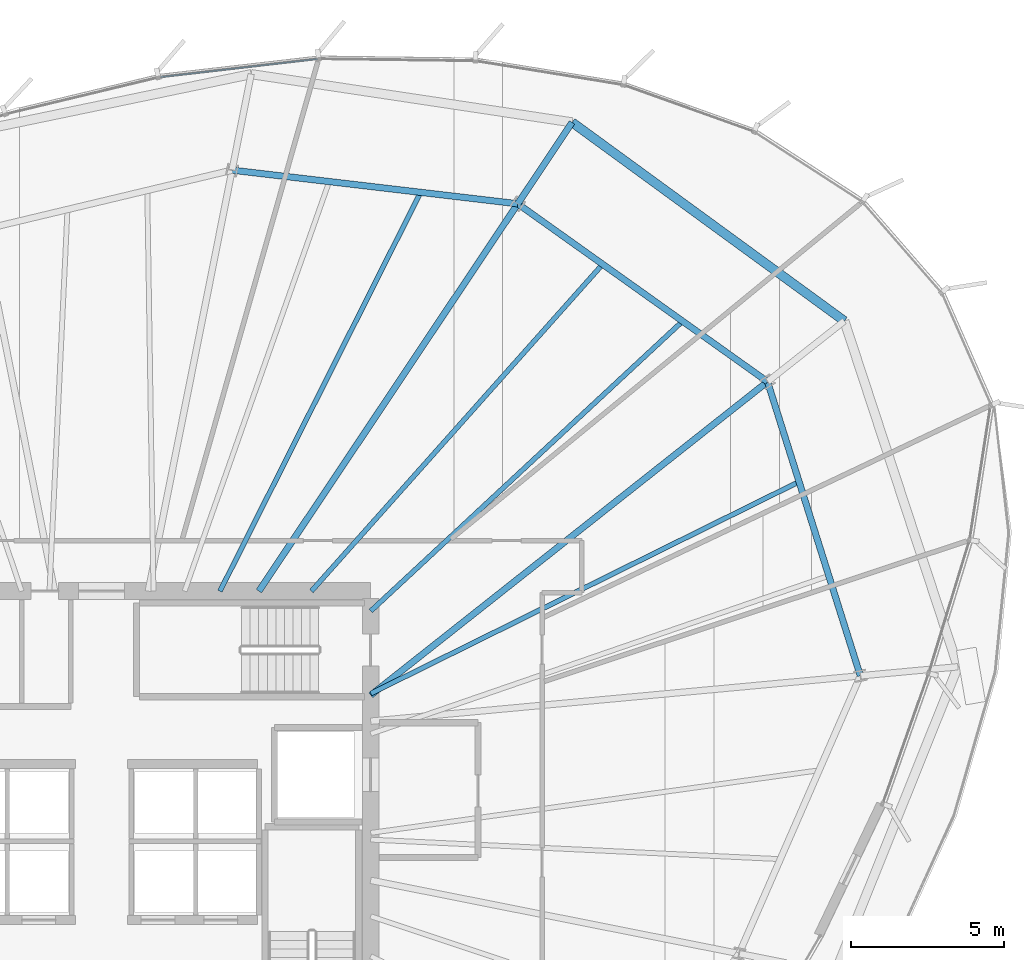
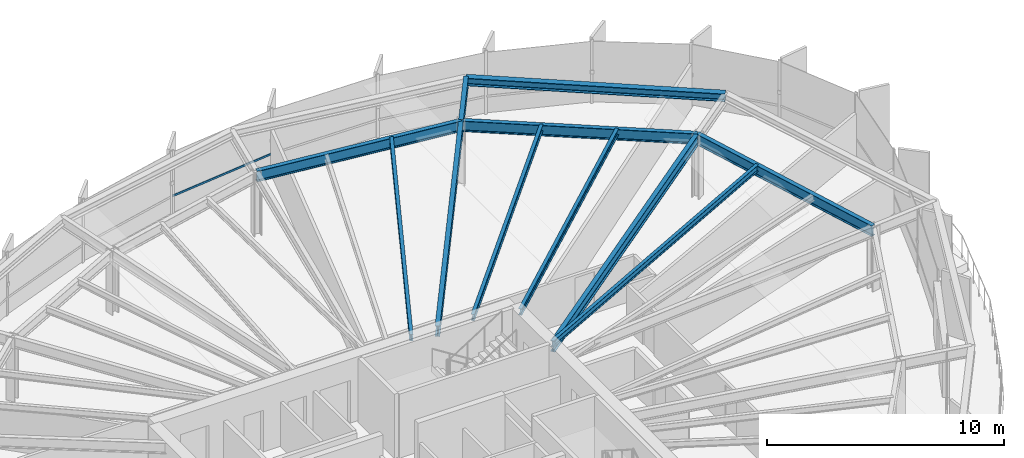
# One storey, part 25 of 36: 11 beams, 1 member, 1 element without a shape of its own.
"""IFC4 building model written with IfcOpenShell, lengths in metres."""

from ifc_helpers import new_model, si_unit, direction, frame, origin, origin_2d, place, context, subcontext, project, spatial, hollow_rectangle, i_section, extrude, source, transform, mapped, material, layer, layer_set, material_profile, profile_set, type_object, element, aggregate, save


model = new_model("IFC4")

# Units and contexts
model_context = context("Model", 3, precision=1e-05, world=origin(), true_north=direction((0.0, 1.0)))
body_context = subcontext(model_context, "Body", "Model", "MODEL_VIEW")
ifc_project = project(units=[si_unit("LENGTHUNIT", "METRE"), si_unit("AREAUNIT", "SQUARE_METRE"), si_unit("VOLUMEUNIT", "CUBIC_METRE"), si_unit("PLANEANGLEUNIT", "RADIAN"), si_unit("MASSUNIT", "GRAM", prefix="KILO"), si_unit("THERMODYNAMICTEMPERATUREUNIT", "KELVIN")], contexts=[model_context])

# Site, building, storey
site_placement = place(None, origin())
site = spatial("IfcSite", under=ifc_project, at=site_placement, CompositionType="ELEMENT")
building_placement = place(site_placement, origin())
building = spatial("IfcBuilding", under=site, at=building_placement, Name="Kethvar Cultural Tower", CompositionType="ELEMENT")
storey_placement = place(building_placement, frame((0.0, 0.0, 164.300048828125)))
storey = spatial("IfcBuildingStorey", under=building, at=storey_placement, Name="L42", CompositionType="ELEMENT", Elevation=164.300048828125)

# Beams
ifc_material_1 = material(Name="Steel S355J2", Category="steel")
ifc_material_profile_1 = material_profile(ifc_material_1, i_section(OverallWidth=0.2099609375, OverallDepth=0.550048828125, WebThickness=0.010986328125, FlangeThickness=0.01708984375, FilletRadius=0.02392578125, at=origin_2d()), Name="Steel S355J2 — IPE550")
ifc_profile_set_1 = profile_set([ifc_material_profile_1], Name="Steel S355J2 — IPE550")
beam_type_1 = type_object("IfcBeamType", Name="BM-IPE550", PredefinedType="BEAM", material=ifc_profile_set_1)
shared_shape_1 = source(origin(), body_context, "Body", "SweptSolid", [
    extrude(i_section(OverallWidth=0.2099609375, OverallDepth=0.550048828125, WebThickness=0.010986328125, FlangeThickness=0.01708984375, FilletRadius=0.02392578125, at=origin_2d()), origin(), (0.0, 0.0, 1.0), 3.199951171875),
])
beam_1_placement = place(storey_placement, frame((60.40478515625, 48.160888671875, 3.02294921875), z_axis=(0.555580212716, 0.831462943996, 0.0), x_axis=(-0.831462943996, 0.555580212716, 0.0)))
element("IfcBeam", 1, at=beam_1_placement, inside=storey, type_object=beam_type_1, Name="L42 Perimeter Cantilever Beam RC-03", PredefinedType="BEAM", context=body_context, shape_type="MappedRepresentation", body=[
    mapped(shared_shape_1, transform((0.0, 0.0, 0.0), scale=1.0)),
])
shared_shape_2 = source(origin(), body_context, "Body", "SweptSolid", [
    extrude(i_section(OverallWidth=0.2099609375, OverallDepth=0.550048828125, WebThickness=0.010986328125, FlangeThickness=0.01708984375, FilletRadius=0.02392578125, at=origin_2d()), origin(), (0.0, 0.0, 1.0), 16.527099609375),
])
beam_2_placement = place(storey_placement, frame((55.60009765625, 32.10009765625, 3.02294921875), z_axis=(0.784681939021, 0.619898584105, 0.0), x_axis=(-0.619898584105, 0.784681939021, 0.0)))
element("IfcBeam", 2, at=beam_2_placement, inside=storey, type_object=beam_type_1, Name="L42 Primary Radial Beam RB-02", PredefinedType="BEAM", context=body_context, shape_type="MappedRepresentation", body=[
    mapped(shared_shape_2, transform((0.0, 0.0, 0.0), scale=1.0)),
])
shared_shape_3 = source(origin(), body_context, "Body", "SweptSolid", [
    extrude(i_section(OverallWidth=0.2099609375, OverallDepth=0.550048828125, WebThickness=0.010986328125, FlangeThickness=0.01708984375, FilletRadius=0.02392578125, at=origin_2d()), origin(), (0.0, 0.0, 1.0), 15.22705078125),
])
beam_3_placement = place(storey_placement, frame((51.945068359375, 35.5, 3.02294921875), z_axis=(0.555569390778, 0.83147017507, 0.0), x_axis=(-0.83147017507, 0.555569390778, 0.0)))
element("IfcBeam", 3, at=beam_3_placement, inside=storey, type_object=beam_type_1, Name="L42 Primary Radial Beam RB-03", PredefinedType="BEAM", context=body_context, shape_type="MappedRepresentation", body=[
    mapped(shared_shape_3, transform((0.0, 0.0, 0.0), scale=1.0)),
])
shared_shape_4 = source(origin(), body_context, "Body", "SweptSolid", [
    extrude(i_section(OverallWidth=0.2099609375, OverallDepth=0.550048828125, WebThickness=0.010986328125, FlangeThickness=0.01708984375, FilletRadius=0.02392578125, at=origin_2d()), origin(), (0.0, 0.0, 1.0), 10.079345703125),
])
beam_4_placement = place(storey_placement, frame((71.6025390625, 32.7333984375, 3.02294921875), z_axis=(-0.301007326566, 0.953621827222, 0.0), x_axis=(-0.953621827222, -0.301007326566, 0.0)))
element("IfcBeam", 4, at=beam_4_placement, inside=storey, type_object=beam_type_1, Name="L42 Column Ring Tie Beam CR-01", PredefinedType="BEAM", context=body_context, shape_type="MappedRepresentation", body=[
    mapped(shared_shape_4, transform((0.0, 0.0, 0.0), scale=1.0)),
])
ifc_material_profile_2 = material_profile(ifc_material_1, i_section(OverallWidth=0.159912109375, OverallDepth=0.330078125, WebThickness=0.007568359375, FlangeThickness=0.011474609375, FilletRadius=0.01806640625, at=origin_2d()), Name="Steel S355J2 — IPE330")
ifc_profile_set_2 = profile_set([ifc_material_profile_2], Name="Steel S355J2 — IPE330")
beam_type_2 = type_object("IfcBeamType", Name="BM-J330", PredefinedType="JOIST", material=ifc_profile_set_2)
shared_shape_5 = source(origin(), body_context, "Body", "SweptSolid", [
    extrude(i_section(OverallWidth=0.159912109375, OverallDepth=0.330078125, WebThickness=0.007568359375, FlangeThickness=0.011474609375, FilletRadius=0.01806640625, at=origin_2d()), origin(), (0.0, 0.0, 1.0), 15.618896484375),
])
beam_5_placement = place(storey_placement, frame((55.60009765625, 32.152587890625, 3.133056640625), z_axis=(0.896344638992, 0.443357968408, 0.0), x_axis=(-0.443357968408, 0.896344638992, 0.0)))
element("IfcBeam", 5, at=beam_5_placement, inside=storey, type_object=beam_type_2, Name="L42 Composite Floor Joist J-01B", PredefinedType="JOIST", context=body_context, shape_type="MappedRepresentation", body=[
    mapped(shared_shape_5, transform((0.0, 0.0, 0.0), scale=1.0)),
])
shared_shape_6 = source(origin(), body_context, "Body", "SweptSolid", [
    extrude(i_section(OverallWidth=0.2099609375, OverallDepth=0.550048828125, WebThickness=0.010986328125, FlangeThickness=0.01708984375, FilletRadius=0.02392578125, at=origin_2d()), origin(), (0.0, 0.0, 1.0), 10.0234375),
])
beam_6_placement = place(storey_placement, frame((68.568603515625, 42.34521484375, 3.02294921875), z_axis=(-0.814470106239, 0.580205520521, 0.0), x_axis=(-0.580205520521, -0.814470106239, 0.0)))
element("IfcBeam", 6, at=beam_6_placement, inside=storey, type_object=beam_type_1, Name="L42 Column Ring Tie Beam CR-02", PredefinedType="BEAM", context=body_context, shape_type="MappedRepresentation", body=[
    mapped(shared_shape_6, transform((0.0, 0.0, 0.0), scale=1.0)),
])
shared_shape_7 = source(origin(), body_context, "Body", "SweptSolid", [
    extrude(i_section(OverallWidth=0.159912109375, OverallDepth=0.330078125, WebThickness=0.007568359375, FlangeThickness=0.011474609375, FilletRadius=0.01806640625, at=origin_2d()), origin(), (0.0, 0.0, 1.0), 13.91455078125),
])
beam_7_placement = place(storey_placement, frame((55.60009765625, 34.85009765625, 3.133056640625), z_axis=(0.732512843328, 0.680753211054, 0.0), x_axis=(-0.680753211054, 0.732512843328, 0.0)))
element("IfcBeam", 7, at=beam_7_placement, inside=storey, type_object=beam_type_2, Name="L42 Composite Floor Joist J-02A", PredefinedType="JOIST", context=body_context, shape_type="MappedRepresentation", body=[
    mapped(shared_shape_7, transform((0.0, 0.0, 0.0), scale=1.0)),
])
shared_shape_8 = source(origin(), body_context, "Body", "SweptSolid", [
    extrude(i_section(OverallWidth=0.159912109375, OverallDepth=0.330078125, WebThickness=0.007568359375, FlangeThickness=0.011474609375, FilletRadius=0.01806640625, at=origin_2d()), origin(), (0.0, 0.0, 1.0), 14.3095703125),
])
beam_8_placement = place(storey_placement, frame((53.660888671875, 35.5, 3.133056640625), z_axis=(0.665261381663, 0.746610537073, 0.0), x_axis=(-0.746610537073, 0.665261381663, 0.0)))
element("IfcBeam", 8, at=beam_8_placement, inside=storey, type_object=beam_type_2, Name="L42 Composite Floor Joist J-02B", PredefinedType="JOIST", context=body_context, shape_type="MappedRepresentation", body=[
    mapped(shared_shape_8, transform((0.0, 0.0, 0.0), scale=1.0)),
])
shared_shape_9 = source(origin(), body_context, "Body", "SweptSolid", [
    extrude(i_section(OverallWidth=0.2099609375, OverallDepth=0.550048828125, WebThickness=0.010986328125, FlangeThickness=0.01708984375, FilletRadius=0.02392578125, at=origin_2d()), origin(), (0.0, 0.0, 1.0), 9.400634765625),
])
beam_9_placement = place(storey_placement, frame((60.40478515625, 48.160888671875, 3.02294921875), z_axis=(-0.993150427046, 0.116842754407, 0.0), x_axis=(-0.116842754407, -0.993150427046, 0.0)))
element("IfcBeam", 9, at=beam_9_placement, inside=storey, type_object=beam_type_1, Name="L42 Column Ring Tie Beam CR-03", PredefinedType="BEAM", context=body_context, shape_type="MappedRepresentation", body=[
    mapped(shared_shape_9, transform((0.0, 0.0, 0.0), scale=1.0)),
])
shared_shape_10 = source(origin(), body_context, "Body", "SweptSolid", [
    extrude(i_section(OverallWidth=0.159912109375, OverallDepth=0.330078125, WebThickness=0.007568359375, FlangeThickness=0.011474609375, FilletRadius=0.01806640625, at=origin_2d()), origin(), (0.0, 0.0, 1.0), 14.590576171875),
])
beam_10_placement = place(storey_placement, frame((50.673583984375, 35.5, 3.133056640625), z_axis=(0.449394228778, 0.893333547529, 0.0), x_axis=(-0.893333547529, 0.449394228778, 0.0)))
element("IfcBeam", 10, at=beam_10_placement, inside=storey, type_object=beam_type_2, Name="L42 Composite Floor Joist J-03A", PredefinedType="JOIST", context=body_context, shape_type="MappedRepresentation", body=[
    mapped(shared_shape_10, transform((0.0, 0.0, 0.0), scale=1.0)),
])
ifc_material_profile_3 = material_profile(ifc_material_1, i_section(OverallWidth=0.300048828125, OverallDepth=0.39990234375, WebThickness=0.013427734375, FlangeThickness=0.02392578125, FilletRadius=0.027099609375, at=origin_2d()), Name="Steel S355J2 — HEB400")
ifc_profile_set_3 = profile_set([ifc_material_profile_3], Name="Steel S355J2 — HEB400")
beam_type_3 = type_object("IfcBeamType", Name="BM-SP400", PredefinedType="SPANDREL", material=ifc_profile_set_3)
shared_shape_11 = source(origin(), body_context, "Body", "SweptSolid", [
    extrude(i_section(OverallWidth=0.300048828125, OverallDepth=0.39990234375, WebThickness=0.013427734375, FlangeThickness=0.02392578125, FilletRadius=0.027099609375, at=origin_2d()), origin(), (0.0, 0.0, 1.0), 11.013916015625),
])
beam_11_placement = place(storey_placement, frame((71.07958984375, 44.3291015625, 3.097900390625), z_axis=(-0.807788950974, 0.589471806522, 0.0), x_axis=(-0.589471806522, -0.807788950974, 0.0)))
element("IfcBeam", 11, at=beam_11_placement, inside=storey, type_object=beam_type_3, Name="L42 Perimeter Spandrel Beam SP-02", PredefinedType="SPANDREL", context=body_context, shape_type="MappedRepresentation", body=[
    mapped(shared_shape_11, transform((0.0, 0.0, 0.0), scale=1.0)),
])

# Curtain wall, member
ifc_material_2 = material(Name="Aluminium 6063-T6", Category="aluminium")
ifc_layer = layer(ifc_material_2, 0.179931640625, Name="Aluminium 6063-T6", Category="aluminium")
ifc_layer_set = layer_set([ifc_layer], Name="Aluminium 6063-T6 (180 mm)")
curtain_wall_type = type_object("IfcCurtainWallType", Name="CW-SYS-04-Z34", PredefinedType="NOTDEFINED", material=ifc_layer_set)
curtain_wall_placement = place(storey_placement, origin())
curtain_wall = element("IfcCurtainWall", 12, at=curtain_wall_placement, inside=storey, type_object=curtain_wall_type, Name="L42 Curtain Wall Run 01", PredefinedType="NOTDEFINED")
ifc_material_profile_4 = material_profile(ifc_material_2, hollow_rectangle(XDim=0.050048828125, YDim=0.10009765625, WallThickness=0.00390625, at=origin_2d()), Name="Aluminium 6063-T6 — RHS100x50x4")
ifc_profile_set_4 = profile_set([ifc_material_profile_4], Name="Aluminium 6063-T6 — RHS100x50x4")
member_type = type_object("IfcMemberType", Name="CW-SYS-04-Z34-TRN", PredefinedType="USERDEFINED", material=ifc_profile_set_4)
shared_shape_12 = source(origin(), body_context, "Body", "SweptSolid", [
    extrude(hollow_rectangle(XDim=0.050048828125, YDim=0.10009765625, WallThickness=0.00390625, at=origin_2d()), origin(), (0.0, 0.0, 1.0), 5.154052734375),
])
member_placement = place(storey_placement, frame((53.854736328125, 52.892333984375, 0.949951171875), z_axis=(-0.993408106035, -0.114631299666, 0.0), x_axis=(0.114631299666, -0.993408106035, 0.0)))
member = element("IfcMember", 13, at=member_placement, type_object=member_type, Name="CW-L42-R01 Transom 6", ObjectType="TRANSOM", PredefinedType="USERDEFINED", context=body_context, shape_type="MappedRepresentation", body=[
    mapped(shared_shape_12, transform((0.0, 0.0, 0.0), scale=1.0)),
])
aggregate(curtain_wall, [member])

save(model, "model.ifc")
